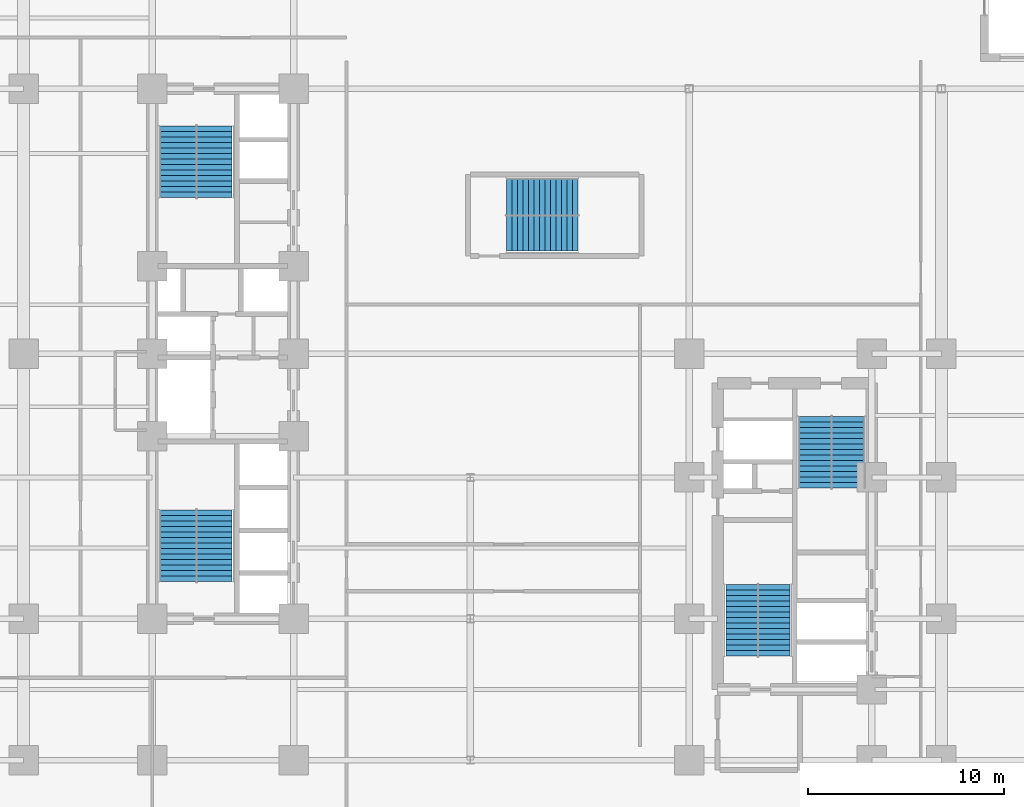
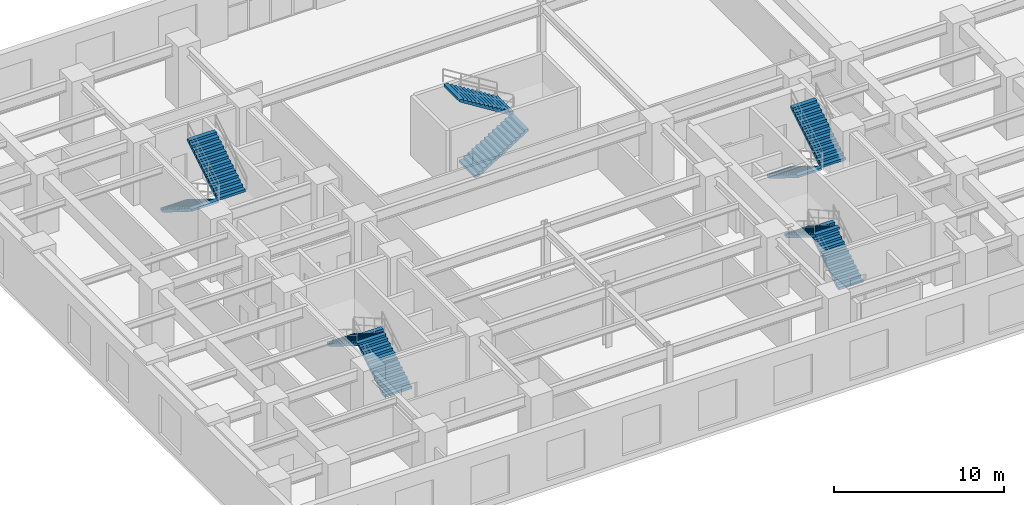
# One storey, part 12 of 15: 10 stair flights, 5 elements without a shape of their own.
"""IFC4 building model written with IfcOpenShell, lengths in metres."""

from ifc_helpers import new_model, entity, si_unit, converted_unit, direction, frame, origin_with_axes, place, context, subcontext, project, spatial, polyline, outline, extrude, material, type_object, element, aggregate, save


model = new_model("IFC4")

# Units and contexts
model_context = context("Model", 3, precision=1e-05, world=origin_with_axes(), true_north=direction((0.0, 1.0)))
body_context = subcontext(model_context, "Body", "Model", "MODEL_VIEW")
ifc_project = project(units=[si_unit("LENGTHUNIT", "METRE"), si_unit("AREAUNIT", "SQUARE_METRE"), si_unit("VOLUMEUNIT", "CUBIC_METRE"), converted_unit("PLANEANGLEUNIT", "DEGREE", entity("IfcPlaneAngleMeasure", 0.017453292519943295), si_unit("PLANEANGLEUNIT", "RADIAN"), dimensions=[0, 0, 0, 0, 0, 0, 0]), si_unit("MASSUNIT", "GRAM", prefix="KILO"), si_unit("THERMODYNAMICTEMPERATUREUNIT", "KELVIN")], contexts=[model_context])

# Site, building, storey
site_placement = place(None, origin_with_axes())
site = spatial("IfcSite", under=ifc_project, at=site_placement, CompositionType="ELEMENT")
building_placement = place(site_placement, origin_with_axes())
building = spatial("IfcBuilding", under=site, at=building_placement, Name="Varnlund Millrace Tower", CompositionType="ELEMENT")
storey_placement = place(building_placement, frame((0.0, 0.0, 15.3), z_axis=(0.0, 0.0, 1.0), x_axis=(1.0, 0.0, 0.0)))
storey = spatial("IfcBuildingStorey", under=building, at=storey_placement, Name="L03", CompositionType="ELEMENT", Elevation=15.3)

# Stair, stair flights
ifc_material_1 = material(Name="Concrete C50/60", Category="concrete")
stair_type_1 = type_object("IfcStairType", Name="Type-Stair-Dogleg-165-450", PredefinedType="HALF_TURN_STAIR", material=ifc_material_1)
stair_1_placement = place(storey_placement, origin_with_axes())
stair_1 = element("IfcStair", 1, at=stair_1_placement, inside=storey, type_object=stair_type_1, Name="Type-Stair-Dogleg-165-450", PredefinedType="HALF_TURN_STAIR")
ifc_material_2 = material(Name="Precast concrete C50/60", Category="concrete")
stair_flight_type_1 = type_object("IfcStairFlightType", Name="Type-Dogleg-Run-165-450", PredefinedType="STRAIGHT", material=ifc_material_2)
stair_flight_1_placement = place(storey_placement, frame((42.225, 8.9, 0.0), z_axis=(1.0, 0.0, 0.0), x_axis=(0.0, 1.0, 0.0)))
stair_flight_1 = element("IfcStairFlight", 2, at=stair_flight_1_placement, type_object=stair_flight_type_1, Name="ST-B1 flight 1", NumberOfRisers=13, NumberOfTreads=13, PredefinedType="STRAIGHT", RiserHeight=0.173077, TreadLength=0.28, context=body_context, shape_type="SweptSolid", body=[
    extrude(outline(polyline([(0.0, 0.0), (0.0, 0.173077), (0.28, 0.173077), (0.28, 0.346154), (0.56, 0.346154), (0.56, 0.519231), (0.84, 0.519231), (0.84, 0.692308), (1.12, 0.692308), (1.12, 0.865384), (1.4, 0.865384), (1.4, 1.038461), (1.68, 1.038461), (1.68, 1.211538), (1.96, 1.211538), (1.96, 1.384615), (2.24, 1.384615), (2.24, 1.557692), (2.52, 1.557692), (2.52, 1.730769), (2.8, 1.730769), (2.8, 1.903846), (3.08, 1.903846), (3.08, 2.076923), (3.36, 2.076923), (3.36, 2.25), (3.64, 2.25), (3.64, 2.1), (0.28, 0.0), (0.0, 0.0)])), origin_with_axes(), (0.0, 0.0, 1.0), 1.65),
])
stair_flight_2_placement = place(storey_placement, frame((42.275, 12.54, 2.25), z_axis=(-1.0, 0.0, 0.0), x_axis=(0.0, -1.0, 0.0)))
stair_flight_2 = element("IfcStairFlight", 3, at=stair_flight_2_placement, type_object=stair_flight_type_1, Name="ST-B1 flight 2", NumberOfRisers=13, NumberOfTreads=13, PredefinedType="STRAIGHT", RiserHeight=0.173077, TreadLength=0.28, context=body_context, shape_type="SweptSolid", body=[
    extrude(outline(polyline([(0.0, 0.0), (0.0, 0.173077), (0.28, 0.173077), (0.28, 0.346154), (0.56, 0.346154), (0.56, 0.519231), (0.84, 0.519231), (0.84, 0.692308), (1.12, 0.692308), (1.12, 0.865384), (1.4, 0.865384), (1.4, 1.038461), (1.68, 1.038461), (1.68, 1.211538), (1.96, 1.211538), (1.96, 1.384615), (2.24, 1.384615), (2.24, 1.557692), (2.52, 1.557692), (2.52, 1.730769), (2.8, 1.730769), (2.8, 1.903846), (3.08, 1.903846), (3.08, 2.076923), (3.36, 2.076923), (3.36, 2.25), (3.64, 2.25), (3.64, 2.1), (0.28, 0.0), (0.0, 0.0)])), origin_with_axes(), (0.0, 0.0, 1.0), 1.65),
])
aggregate(stair_1, [stair_flight_1, stair_flight_2])

stair_2_placement = place(storey_placement, origin_with_axes())
stair_2 = element("IfcStair", 4, at=stair_2_placement, inside=storey, type_object=stair_type_1, Name="Type-Stair-Dogleg-165-450", PredefinedType="HALF_TURN_STAIR")
stair_flight_3_placement = place(storey_placement, frame((46.025, 21.1, 0.0), z_axis=(-1.0, 0.0, 0.0), x_axis=(0.0, -1.0, 0.0)))
stair_flight_3 = element("IfcStairFlight", 5, at=stair_flight_3_placement, type_object=stair_flight_type_1, Name="ST-B2 flight 1", NumberOfRisers=13, NumberOfTreads=13, PredefinedType="STRAIGHT", RiserHeight=0.173077, TreadLength=0.28, context=body_context, shape_type="SweptSolid", body=[
    extrude(outline(polyline([(0.0, 0.0), (0.0, 0.173077), (0.28, 0.173077), (0.28, 0.346154), (0.56, 0.346154), (0.56, 0.519231), (0.84, 0.519231), (0.84, 0.692308), (1.12, 0.692308), (1.12, 0.865384), (1.4, 0.865384), (1.4, 1.038461), (1.68, 1.038461), (1.68, 1.211538), (1.96, 1.211538), (1.96, 1.384615), (2.24, 1.384615), (2.24, 1.557692), (2.52, 1.557692), (2.52, 1.730769), (2.8, 1.730769), (2.8, 1.903846), (3.08, 1.903846), (3.08, 2.076923), (3.36, 2.076923), (3.36, 2.25), (3.64, 2.25), (3.64, 2.1), (0.28, 0.0), (0.0, 0.0)])), origin_with_axes(), (0.0, 0.0, 1.0), 1.65),
])
stair_flight_4_placement = place(storey_placement, frame((45.975, 17.46, 2.25), z_axis=(1.0, 0.0, 0.0), x_axis=(0.0, 1.0, 0.0)))
stair_flight_4 = element("IfcStairFlight", 6, at=stair_flight_4_placement, type_object=stair_flight_type_1, Name="ST-B2 flight 2", NumberOfRisers=13, NumberOfTreads=13, PredefinedType="STRAIGHT", RiserHeight=0.173077, TreadLength=0.28, context=body_context, shape_type="SweptSolid", body=[
    extrude(outline(polyline([(0.0, 0.0), (0.0, 0.173077), (0.28, 0.173077), (0.28, 0.346154), (0.56, 0.346154), (0.56, 0.519231), (0.84, 0.519231), (0.84, 0.692308), (1.12, 0.692308), (1.12, 0.865384), (1.4, 0.865384), (1.4, 1.038461), (1.68, 1.038461), (1.68, 1.211538), (1.96, 1.211538), (1.96, 1.384615), (2.24, 1.384615), (2.24, 1.557692), (2.52, 1.557692), (2.52, 1.730769), (2.8, 1.730769), (2.8, 1.903846), (3.08, 1.903846), (3.08, 2.076923), (3.36, 2.076923), (3.36, 2.25), (3.64, 2.25), (3.64, 2.1), (0.28, 0.0), (0.0, 0.0)])), origin_with_axes(), (0.0, 0.0, 1.0), 1.65),
])
aggregate(stair_2, [stair_flight_3, stair_flight_4])

stair_type_2 = type_object("IfcStairType", Name="Type-Stair-Dogleg-185-450", PredefinedType="HALF_TURN_STAIR", material=ifc_material_1)
stair_3_placement = place(storey_placement, origin_with_axes())
stair_3 = element("IfcStair", 7, at=stair_3_placement, inside=storey, type_object=stair_type_2, Name="Type-Stair-Dogleg-185-450", PredefinedType="HALF_TURN_STAIR")
stair_flight_type_2 = type_object("IfcStairFlightType", Name="Type-Dogleg-Run-185-450", PredefinedType="STRAIGHT", material=ifc_material_2)
stair_flight_5_placement = place(storey_placement, frame((13.625, 12.7, 0.0), z_axis=(1.0, 0.0, 0.0), x_axis=(0.0, 1.0, 0.0)))
stair_flight_5 = element("IfcStairFlight", 8, at=stair_flight_5_placement, type_object=stair_flight_type_2, Name="ST-A1 flight 1", NumberOfRisers=13, NumberOfTreads=13, PredefinedType="STRAIGHT", RiserHeight=0.173077, TreadLength=0.28, context=body_context, shape_type="SweptSolid", body=[
    extrude(outline(polyline([(0.0, 0.0), (0.0, 0.173077), (0.28, 0.173077), (0.28, 0.346154), (0.56, 0.346154), (0.56, 0.519231), (0.84, 0.519231), (0.84, 0.692308), (1.12, 0.692308), (1.12, 0.865384), (1.4, 0.865384), (1.4, 1.038461), (1.68, 1.038461), (1.68, 1.211538), (1.96, 1.211538), (1.96, 1.384615), (2.24, 1.384615), (2.24, 1.557692), (2.52, 1.557692), (2.52, 1.730769), (2.8, 1.730769), (2.8, 1.903846), (3.08, 1.903846), (3.08, 2.076923), (3.36, 2.076923), (3.36, 2.25), (3.64, 2.25), (3.64, 2.1), (0.28, 0.0), (0.0, 0.0)])), origin_with_axes(), (0.0, 0.0, 1.0), 1.85),
])
stair_flight_6_placement = place(storey_placement, frame((13.675, 16.34, 2.25), z_axis=(-1.0, 0.0, 0.0), x_axis=(0.0, -1.0, 0.0)))
stair_flight_6 = element("IfcStairFlight", 9, at=stair_flight_6_placement, type_object=stair_flight_type_2, Name="ST-A1 flight 2", NumberOfRisers=13, NumberOfTreads=13, PredefinedType="STRAIGHT", RiserHeight=0.173077, TreadLength=0.28, context=body_context, shape_type="SweptSolid", body=[
    extrude(outline(polyline([(0.0, 0.0), (0.0, 0.173077), (0.28, 0.173077), (0.28, 0.346154), (0.56, 0.346154), (0.56, 0.519231), (0.84, 0.519231), (0.84, 0.692308), (1.12, 0.692308), (1.12, 0.865384), (1.4, 0.865384), (1.4, 1.038461), (1.68, 1.038461), (1.68, 1.211538), (1.96, 1.211538), (1.96, 1.384615), (2.24, 1.384615), (2.24, 1.557692), (2.52, 1.557692), (2.52, 1.730769), (2.8, 1.730769), (2.8, 1.903846), (3.08, 1.903846), (3.08, 2.076923), (3.36, 2.076923), (3.36, 2.25), (3.64, 2.25), (3.64, 2.1), (0.28, 0.0), (0.0, 0.0)])), origin_with_axes(), (0.0, 0.0, 1.0), 1.85),
])
aggregate(stair_3, [stair_flight_5, stair_flight_6])

stair_4_placement = place(storey_placement, origin_with_axes())
stair_4 = element("IfcStair", 10, at=stair_4_placement, inside=storey, type_object=stair_type_2, Name="Type-Stair-Dogleg-185-450", PredefinedType="HALF_TURN_STAIR")
stair_flight_7_placement = place(storey_placement, frame((13.675, 35.9, 0.0), z_axis=(-1.0, 0.0, 0.0), x_axis=(0.0, -1.0, 0.0)))
stair_flight_7 = element("IfcStairFlight", 11, at=stair_flight_7_placement, type_object=stair_flight_type_2, Name="ST-A2 flight 1", NumberOfRisers=13, NumberOfTreads=13, PredefinedType="STRAIGHT", RiserHeight=0.173077, TreadLength=0.28, context=body_context, shape_type="SweptSolid", body=[
    extrude(outline(polyline([(0.0, 0.0), (0.0, 0.173077), (0.28, 0.173077), (0.28, 0.346154), (0.56, 0.346154), (0.56, 0.519231), (0.84, 0.519231), (0.84, 0.692308), (1.12, 0.692308), (1.12, 0.865384), (1.4, 0.865384), (1.4, 1.038461), (1.68, 1.038461), (1.68, 1.211538), (1.96, 1.211538), (1.96, 1.384615), (2.24, 1.384615), (2.24, 1.557692), (2.52, 1.557692), (2.52, 1.730769), (2.8, 1.730769), (2.8, 1.903846), (3.08, 1.903846), (3.08, 2.076923), (3.36, 2.076923), (3.36, 2.25), (3.64, 2.25), (3.64, 2.1), (0.28, 0.0), (0.0, 0.0)])), origin_with_axes(), (0.0, 0.0, 1.0), 1.85),
])
stair_flight_8_placement = place(storey_placement, frame((13.625, 32.26, 2.25), z_axis=(1.0, 0.0, 0.0), x_axis=(0.0, 1.0, 0.0)))
stair_flight_8 = element("IfcStairFlight", 12, at=stair_flight_8_placement, type_object=stair_flight_type_2, Name="ST-A2 flight 2", NumberOfRisers=13, NumberOfTreads=13, PredefinedType="STRAIGHT", RiserHeight=0.173077, TreadLength=0.28, context=body_context, shape_type="SweptSolid", body=[
    extrude(outline(polyline([(0.0, 0.0), (0.0, 0.173077), (0.28, 0.173077), (0.28, 0.346154), (0.56, 0.346154), (0.56, 0.519231), (0.84, 0.519231), (0.84, 0.692308), (1.12, 0.692308), (1.12, 0.865384), (1.4, 0.865384), (1.4, 1.038461), (1.68, 1.038461), (1.68, 1.211538), (1.96, 1.211538), (1.96, 1.384615), (2.24, 1.384615), (2.24, 1.557692), (2.52, 1.557692), (2.52, 1.730769), (2.8, 1.730769), (2.8, 1.903846), (3.08, 1.903846), (3.08, 2.076923), (3.36, 2.076923), (3.36, 2.25), (3.64, 2.25), (3.64, 2.1), (0.28, 0.0), (0.0, 0.0)])), origin_with_axes(), (0.0, 0.0, 1.0), 1.85),
])
aggregate(stair_4, [stair_flight_7, stair_flight_8])

stair_5_placement = place(storey_placement, origin_with_axes())
stair_5 = element("IfcStair", 13, at=stair_5_placement, inside=storey, type_object=stair_type_2, Name="Type-Stair-Dogleg-185-450", PredefinedType="HALF_TURN_STAIR")
stair_flight_9_placement = place(storey_placement, frame((29.45, 31.375, 0.0), z_axis=(0.0, -1.0, 0.0), x_axis=(1.0, 0.0, 0.0)))
stair_flight_9 = element("IfcStairFlight", 14, at=stair_flight_9_placement, type_object=stair_flight_type_2, Name="ST-P1 flight 1", NumberOfRisers=13, NumberOfTreads=13, PredefinedType="STRAIGHT", RiserHeight=0.173077, TreadLength=0.28, context=body_context, shape_type="SweptSolid", body=[
    extrude(outline(polyline([(0.0, 0.0), (0.0, 0.173077), (0.28, 0.173077), (0.28, 0.346154), (0.56, 0.346154), (0.56, 0.519231), (0.84, 0.519231), (0.84, 0.692308), (1.12, 0.692308), (1.12, 0.865384), (1.4, 0.865384), (1.4, 1.038461), (1.68, 1.038461), (1.68, 1.211538), (1.96, 1.211538), (1.96, 1.384615), (2.24, 1.384615), (2.24, 1.557692), (2.52, 1.557692), (2.52, 1.730769), (2.8, 1.730769), (2.8, 1.903846), (3.08, 1.903846), (3.08, 2.076923), (3.36, 2.076923), (3.36, 2.25), (3.64, 2.25), (3.64, 2.1), (0.28, 0.0), (0.0, 0.0)])), origin_with_axes(), (0.0, 0.0, 1.0), 1.85),
])
stair_flight_10_placement = place(storey_placement, frame((33.09, 31.325, 2.25), z_axis=(0.0, 1.0, 0.0), x_axis=(-1.0, 0.0, 0.0)))
stair_flight_10 = element("IfcStairFlight", 15, at=stair_flight_10_placement, type_object=stair_flight_type_2, Name="ST-P1 flight 2", NumberOfRisers=13, NumberOfTreads=13, PredefinedType="STRAIGHT", RiserHeight=0.173077, TreadLength=0.28, context=body_context, shape_type="SweptSolid", body=[
    extrude(outline(polyline([(0.0, 0.0), (0.0, 0.173077), (0.28, 0.173077), (0.28, 0.346154), (0.56, 0.346154), (0.56, 0.519231), (0.84, 0.519231), (0.84, 0.692308), (1.12, 0.692308), (1.12, 0.865384), (1.4, 0.865384), (1.4, 1.038461), (1.68, 1.038461), (1.68, 1.211538), (1.96, 1.211538), (1.96, 1.384615), (2.24, 1.384615), (2.24, 1.557692), (2.52, 1.557692), (2.52, 1.730769), (2.8, 1.730769), (2.8, 1.903846), (3.08, 1.903846), (3.08, 2.076923), (3.36, 2.076923), (3.36, 2.25), (3.64, 2.25), (3.64, 2.1), (0.28, 0.0), (0.0, 0.0)])), origin_with_axes(), (0.0, 0.0, 1.0), 1.85),
])
aggregate(stair_5, [stair_flight_9, stair_flight_10])

save(model, "model.ifc")
